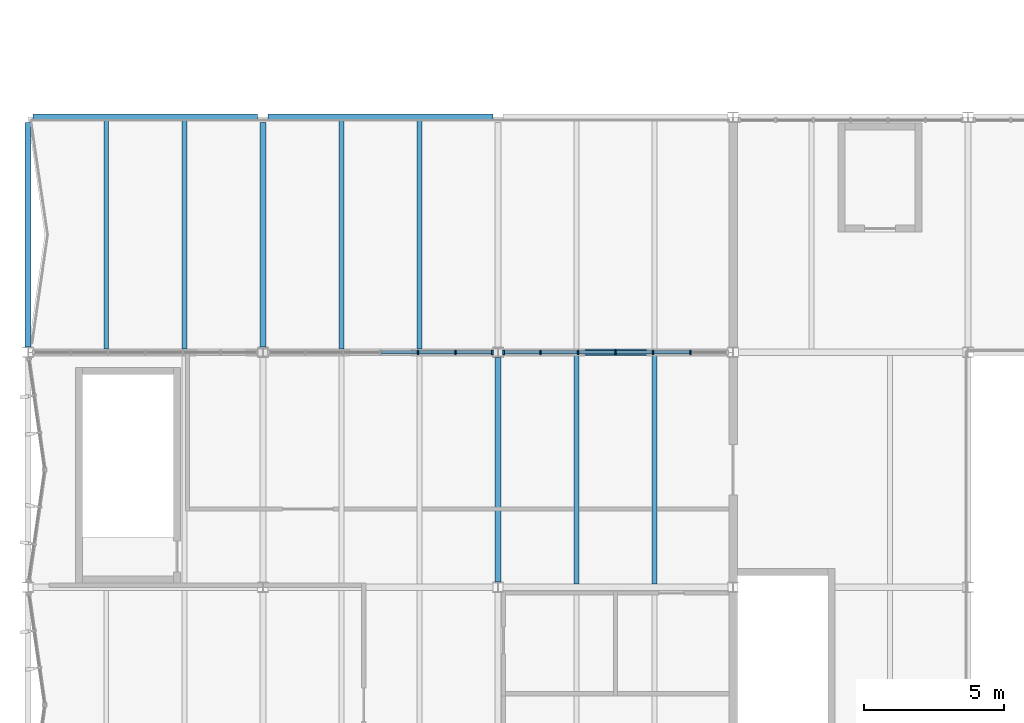
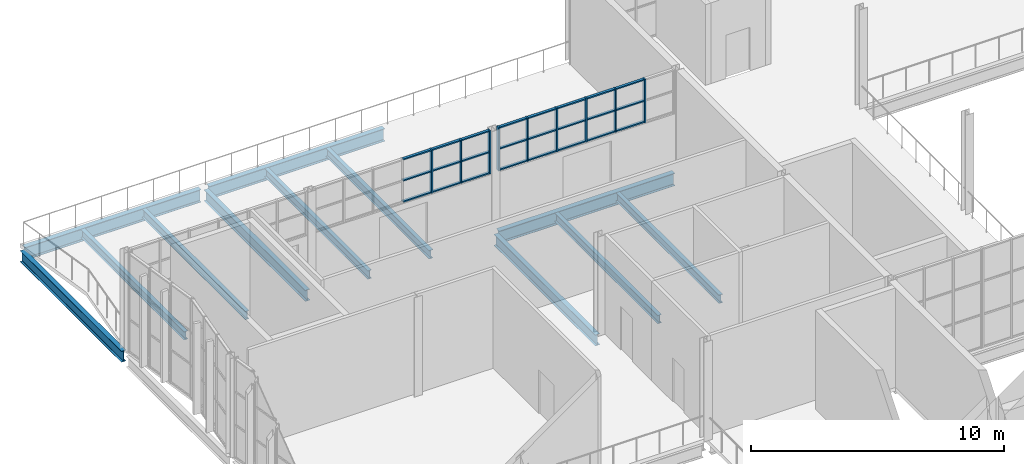
# One storey, part 39 of 116: 33 members, 12 beams, 2 elements without a shape of their own.
"""IFC4 building model written with IfcOpenShell, lengths in metres."""

from ifc_helpers import new_model, si_unit, direction, frame, origin, origin_2d, place, context, subcontext, project, spatial, rectangle, i_section, extrude, material, material_profile, profile_set, type_object, element, aggregate, save


model = new_model("IFC4")

# Units and contexts
model_context = context("Model", 3, precision=1e-05, world=origin(), true_north=direction((0.0, 1.0)))
body_context = subcontext(model_context, "Body", "Model", "MODEL_VIEW")
ifc_project = project(units=[si_unit("LENGTHUNIT", "METRE"), si_unit("AREAUNIT", "SQUARE_METRE"), si_unit("VOLUMEUNIT", "CUBIC_METRE"), si_unit("PLANEANGLEUNIT", "RADIAN"), si_unit("MASSUNIT", "GRAM", prefix="KILO")], contexts=[model_context])

# Site, building, storey
site_placement = place(None, origin())
site = spatial("IfcSite", under=ifc_project, at=site_placement, CompositionType="ELEMENT")
building_placement = place(site_placement, origin())
building = spatial("IfcBuilding", under=site, at=building_placement, Name="Ljudholm Concert House", CompositionType="ELEMENT")
storey_placement = place(building_placement, frame((0.0, 0.0, 10.199951171875)))
storey = spatial("IfcBuildingStorey", under=building, at=storey_placement, Name="L02", CompositionType="ELEMENT", Elevation=10.199951171875)

# Curtain wall, members
ifc_material_1 = material(Name="Aluminium curtain wall with impact-rated laminated glass", Category="aluminium")
curtain_wall_type = type_object("IfcCurtainWallType", Name="CURTAIN WALL 1400", PredefinedType="NOTDEFINED", material=ifc_material_1)
curtain_wall_1_placement = place(storey_placement, origin())
curtain_wall_1 = element("IfcCurtainWall", 1, at=curtain_wall_1_placement, inside=storey, type_object=curtain_wall_type, Name="Terrace curtain wall", PredefinedType="NOTDEFINED")
ifc_material_2 = material(Name="Aluminium extrusion", Category="aluminium")
ifc_material_profile_1 = material_profile(ifc_material_2, rectangle(XDim=0.159912109375, YDim=0.06005859375, at=origin_2d()), Name="MULLION 60x160")
ifc_profile_set_1 = profile_set([ifc_material_profile_1], Name="Aluminium extrusion")
member_type_1 = type_object("IfcMemberType", Name="MULLION 60x160", PredefinedType="MULLION", material=ifc_profile_set_1)
member_1_placement = place(storey_placement, frame((17.940673828125, 121.60009765625, 2.699951171875), z_axis=(0.0, 0.0, 1.0), x_axis=(0.0, 1.0, 0.0)))
member_1 = element("IfcMember", 2, at=member_1_placement, type_object=member_type_1, Name="Mullion", PredefinedType="MULLION", context=body_context, shape_type="SweptSolid", body=[
    extrude(rectangle(XDim=0.159912109375, YDim=0.06005859375, at=origin_2d()), origin(), (0.0, 0.0, 1.0), 2.10009765625),
])
member_2_placement = place(storey_placement, frame((19.281494140625, 121.60009765625, 2.699951171875), z_axis=(0.0, 0.0, 1.0), x_axis=(0.0, 1.0, 0.0)))
member_2 = element("IfcMember", 3, at=member_2_placement, type_object=member_type_1, Name="Mullion", PredefinedType="MULLION", context=body_context, shape_type="SweptSolid", body=[
    extrude(rectangle(XDim=0.159912109375, YDim=0.06005859375, at=origin_2d()), origin(), (0.0, 0.0, 1.0), 2.10009765625),
])
member_3_placement = place(storey_placement, frame((20.59228515625, 121.60009765625, 2.699951171875), z_axis=(0.0, 0.0, 1.0), x_axis=(0.0, 1.0, 0.0)))
member_3 = element("IfcMember", 4, at=member_3_placement, type_object=member_type_1, Name="Mullion", PredefinedType="MULLION", context=body_context, shape_type="SweptSolid", body=[
    extrude(rectangle(XDim=0.159912109375, YDim=0.06005859375, at=origin_2d()), origin(), (0.0, 0.0, 1.0), 2.10009765625),
])

curtain_wall_2_placement = place(storey_placement, origin())
curtain_wall_2 = element("IfcCurtainWall", 5, at=curtain_wall_2_placement, inside=storey, type_object=curtain_wall_type, Name="Terrace curtain wall", PredefinedType="NOTDEFINED")
member_4_placement = place(storey_placement, frame((21.0078125, 121.60009765625, 2.699951171875), z_axis=(0.0, 0.0, 1.0), x_axis=(0.0, 1.0, 0.0)))
member_4 = element("IfcMember", 6, at=member_4_placement, type_object=member_type_1, Name="Mullion", PredefinedType="MULLION", context=body_context, shape_type="SweptSolid", body=[
    extrude(rectangle(XDim=0.159912109375, YDim=0.06005859375, at=origin_2d()), origin(), (0.0, 0.0, 1.0), 2.10009765625),
])
member_5_placement = place(storey_placement, frame((22.318603515625, 121.60009765625, 2.699951171875), z_axis=(0.0, 0.0, 1.0), x_axis=(0.0, 1.0, 0.0)))
member_5 = element("IfcMember", 7, at=member_5_placement, type_object=member_type_1, Name="Mullion", PredefinedType="MULLION", context=body_context, shape_type="SweptSolid", body=[
    extrude(rectangle(XDim=0.159912109375, YDim=0.06005859375, at=origin_2d()), origin(), (0.0, 0.0, 1.0), 2.10009765625),
])
member_6_placement = place(storey_placement, frame((23.6591796875, 121.60009765625, 2.699951171875), z_axis=(0.0, 0.0, 1.0), x_axis=(0.0, 1.0, 0.0)))
member_6 = element("IfcMember", 8, at=member_6_placement, type_object=member_type_1, Name="Mullion", PredefinedType="MULLION", context=body_context, shape_type="SweptSolid", body=[
    extrude(rectangle(XDim=0.159912109375, YDim=0.06005859375, at=origin_2d()), origin(), (0.0, 0.0, 1.0), 2.10009765625),
])
member_7_placement = place(storey_placement, frame((25.0, 121.60009765625, 2.699951171875), z_axis=(0.0, 0.0, 1.0), x_axis=(0.0, 1.0, 0.0)))
member_7 = element("IfcMember", 9, at=member_7_placement, type_object=member_type_1, Name="Mullion", PredefinedType="MULLION", context=body_context, shape_type="SweptSolid", body=[
    extrude(rectangle(XDim=0.159912109375, YDim=0.06005859375, at=origin_2d()), origin(), (0.0, 0.0, 1.0), 2.10009765625),
])
member_8_placement = place(storey_placement, frame((26.3408203125, 121.60009765625, 2.699951171875), z_axis=(0.0, 0.0, 1.0), x_axis=(0.0, 1.0, 0.0)))
member_8 = element("IfcMember", 10, at=member_8_placement, type_object=member_type_1, Name="Mullion", PredefinedType="MULLION", context=body_context, shape_type="SweptSolid", body=[
    extrude(rectangle(XDim=0.159912109375, YDim=0.06005859375, at=origin_2d()), origin(), (0.0, 0.0, 1.0), 2.10009765625),
])
member_9_placement = place(storey_placement, frame((27.681396484375, 121.60009765625, 2.699951171875), z_axis=(0.0, 0.0, 1.0), x_axis=(0.0, 1.0, 0.0)))
member_9 = element("IfcMember", 11, at=member_9_placement, type_object=member_type_1, Name="Mullion", PredefinedType="MULLION", context=body_context, shape_type="SweptSolid", body=[
    extrude(rectangle(XDim=0.159912109375, YDim=0.06005859375, at=origin_2d()), origin(), (0.0, 0.0, 1.0), 2.10009765625),
])

# Beams
ifc_material_3 = material(Name="Steel ASTM A992", Category="steel")
ifc_material_profile_2 = material_profile(ifc_material_3, i_section(OverallWidth=0.177734375, OverallDepth=0.406494140625, WebThickness=0.0078125, FlangeThickness=0.012939453125, FilletRadius=0.01025390625, at=origin_2d()), Name="W16X40")
ifc_profile_set_2 = profile_set([ifc_material_profile_2], Name="Steel ASTM A992")
beam_type_1 = type_object("IfcBeamType", Name="STEEL BEAM W16X40", PredefinedType="BEAM", material=ifc_profile_set_2)
for number, where, z_axis, x_axis, name in (
    (12, (6.800048828125, 121.714599609375, -0.383056640625), (0.0, 1.0, 0.0), (-1.0, 0.0, 0.0), "Secondary beam"),
    (13, (9.60009765625, 121.714599609375, -0.383056640625), (0.0, 1.0, 0.0), (-1.0, 0.0, 0.0), "Secondary beam"),
    (14, (15.199951171875, 121.714599609375, -0.383056640625), (0.0, 1.0, 0.0), (-1.0, 0.0, 0.0), "Secondary beam"),
    (15, (18.0, 121.714599609375, -0.383056640625), (0.0, 1.0, 0.0), (-1.0, 0.0, 0.0), "Secondary beam"),
    (16, (23.60009765625, 113.314453125, -0.383056640625), (0.0, 1.0, 0.0), (-1.0, 0.0, 0.0), "Secondary beam"),
    (17, (26.39990234375, 113.314453125, -0.383056640625), (0.0, 1.0, 0.0), (-1.0, 0.0, 0.0), "Secondary beam"),
):
    element("IfcBeam", number, at=place(storey_placement, frame(where, z_axis=z_axis, x_axis=x_axis)), inside=storey, type_object=beam_type_1, Name=name, PredefinedType="BEAM", context=body_context, shape_type="SweptSolid", body=[
        extrude(i_section(OverallWidth=0.177734375, OverallDepth=0.406494140625, WebThickness=0.0078125, FlangeThickness=0.012939453125, FilletRadius=0.01025390625, at=origin_2d()), origin(), (0.0, 0.0, 1.0), 8.1708984375),
    ])
ifc_material_4 = material(Name="Steel ASTM A992", Category="steel")
ifc_material_profile_3 = material_profile(ifc_material_4, i_section(OverallWidth=0.209228515625, OverallDepth=0.533447265625, WebThickness=0.01025390625, FlangeThickness=0.015625, FilletRadius=0.012939453125, at=origin_2d()), Name="W21X62")
ifc_profile_set_3 = profile_set([ifc_material_profile_3], Name="Steel ASTM A992")
beam_type_2 = type_object("IfcBeamType", Name="STEEL BEAM W21X62", PredefinedType="BEAM", material=ifc_profile_set_3)
for number, where, z_axis, x_axis, name in (
    (18, (4.0, 121.78662109375, -0.446533203125), (0.0, 1.0, 0.0), (-1.0, 0.0, 0.0), "Floor edge beam"),
    (19, (12.39990234375, 121.78662109375, -0.446533203125), (0.0, 1.0, 0.0), (-1.0, 0.0, 0.0), "Floor edge beam"),
    (20, (20.800048828125, 113.38671875, -0.446533203125), (0.0, 1.0, 0.0), (-1.0, 0.0, 0.0), "Floor edge beam"),
):
    element("IfcBeam", number, at=place(storey_placement, frame(where, z_axis=z_axis, x_axis=x_axis)), inside=storey, type_object=beam_type_2, Name=name, PredefinedType="BEAM", context=body_context, shape_type="SweptSolid", body=[
        extrude(i_section(OverallWidth=0.209228515625, OverallDepth=0.533447265625, WebThickness=0.01025390625, FlangeThickness=0.015625, FilletRadius=0.012939453125, at=origin_2d()), origin(), (0.0, 0.0, 1.0), 8.026611328125),
    ])
ifc_material_5 = material(Name="Steel ASTM A992", Category="steel")
ifc_material_profile_4 = material_profile(ifc_material_5, i_section(OverallWidth=0.22900390625, OverallDepth=0.612060546875, WebThickness=0.011962890625, FlangeThickness=0.01953125, FilletRadius=0.0126953125, at=origin_2d()), Name="W24X84")
ifc_profile_set_4 = profile_set([ifc_material_profile_4], Name="Steel ASTM A992")
beam_type_3 = type_object("IfcBeamType", Name="STEEL BEAM W24X84", PredefinedType="BEAM", material=ifc_profile_set_4)
beam_placement = place(storey_placement, frame((20.986572265625, 121.60009765625, -0.486083984375), z_axis=(1.0, 0.0, 0.0), x_axis=(0.0, 1.0, 0.0)))
element("IfcBeam", 21, at=beam_placement, inside=storey, type_object=beam_type_3, Name="Floor girder", PredefinedType="BEAM", context=body_context, shape_type="SweptSolid", body=[
    extrude(i_section(OverallWidth=0.22900390625, OverallDepth=0.612060546875, WebThickness=0.011962890625, FlangeThickness=0.01953125, FilletRadius=0.0126953125, at=origin_2d()), origin(), (0.0, 0.0, 1.0), 8.02685546875),
])
for number, where, z_axis, x_axis, name in (
    (22, (4.186767578125, 130.0, -0.486083984375), (1.0, 0.0, 0.0), (0.0, 1.0, 0.0), "Floor girder"),
    (23, (12.586669921875, 130.0, -0.486083984375), (1.0, 0.0, 0.0), (0.0, 1.0, 0.0), "Floor girder"),
):
    element("IfcBeam", number, at=place(storey_placement, frame(where, z_axis=z_axis, x_axis=x_axis)), inside=storey, type_object=beam_type_3, Name=name, PredefinedType="BEAM", context=body_context, shape_type="SweptSolid", body=[
        extrude(i_section(OverallWidth=0.22900390625, OverallDepth=0.612060546875, WebThickness=0.011962890625, FlangeThickness=0.01953125, FilletRadius=0.0126953125, at=origin_2d()), origin(), (0.0, 0.0, 1.0), 8.026611328125),
    ])

# Member
ifc_material_6 = material(Name="Aluminium extrusion", Category="aluminium")
ifc_material_profile_5 = material_profile(ifc_material_6, rectangle(XDim=0.1201171875, YDim=0.06005859375, at=origin_2d()), Name="TRANSOM 60x120")
ifc_profile_set_5 = profile_set([ifc_material_profile_5], Name="Aluminium extrusion")
member_type_2 = type_object("IfcMemberType", Name="TRANSOM 60x120", PredefinedType="USERDEFINED", material=ifc_profile_set_5)
member_10_placement = place(storey_placement, frame((16.6298828125, 121.60009765625, 2.72998046875), z_axis=(1.0, 0.0, 0.0), x_axis=(0.0, 1.0, 0.0)))
member_10 = element("IfcMember", 24, at=member_10_placement, type_object=member_type_2, Name="Transom", ObjectType="TRANSOM", PredefinedType="USERDEFINED", context=body_context, shape_type="SweptSolid", body=[
    extrude(rectangle(XDim=0.1201171875, YDim=0.06005859375, at=origin_2d()), origin(), (0.0, 0.0, 1.0), 1.28076171875),
])

member_11_placement = place(storey_placement, frame((16.6298828125, 121.60009765625, 3.75), z_axis=(1.0, 0.0, 0.0), x_axis=(0.0, 1.0, 0.0)))
member_11 = element("IfcMember", 25, at=member_11_placement, type_object=member_type_2, Name="Transom", ObjectType="TRANSOM", PredefinedType="USERDEFINED", context=body_context, shape_type="SweptSolid", body=[
    extrude(rectangle(XDim=0.1201171875, YDim=0.06005859375, at=origin_2d()), origin(), (0.0, 0.0, 1.0), 1.28076171875),
])

member_12_placement = place(storey_placement, frame((16.6298828125, 121.60009765625, 4.77001953125), z_axis=(1.0, 0.0, 0.0), x_axis=(0.0, 1.0, 0.0)))
member_12 = element("IfcMember", 26, at=member_12_placement, type_object=member_type_2, Name="Transom", ObjectType="TRANSOM", PredefinedType="USERDEFINED", context=body_context, shape_type="SweptSolid", body=[
    extrude(rectangle(XDim=0.1201171875, YDim=0.06005859375, at=origin_2d()), origin(), (0.0, 0.0, 1.0), 1.28076171875),
])

member_13_placement = place(storey_placement, frame((17.970703125, 121.60009765625, 2.72998046875), z_axis=(1.0, 0.0, 0.0), x_axis=(0.0, 1.0, 0.0)))
member_13 = element("IfcMember", 27, at=member_13_placement, type_object=member_type_2, Name="Transom", ObjectType="TRANSOM", PredefinedType="USERDEFINED", context=body_context, shape_type="SweptSolid", body=[
    extrude(rectangle(XDim=0.1201171875, YDim=0.06005859375, at=origin_2d()), origin(), (0.0, 0.0, 1.0), 1.28076171875),
])

member_14_placement = place(storey_placement, frame((17.970703125, 121.60009765625, 3.75), z_axis=(1.0, 0.0, 0.0), x_axis=(0.0, 1.0, 0.0)))
member_14 = element("IfcMember", 28, at=member_14_placement, type_object=member_type_2, Name="Transom", ObjectType="TRANSOM", PredefinedType="USERDEFINED", context=body_context, shape_type="SweptSolid", body=[
    extrude(rectangle(XDim=0.1201171875, YDim=0.06005859375, at=origin_2d()), origin(), (0.0, 0.0, 1.0), 1.28076171875),
])

member_15_placement = place(storey_placement, frame((17.970703125, 121.60009765625, 4.77001953125), z_axis=(1.0, 0.0, 0.0), x_axis=(0.0, 1.0, 0.0)))
member_15 = element("IfcMember", 29, at=member_15_placement, type_object=member_type_2, Name="Transom", ObjectType="TRANSOM", PredefinedType="USERDEFINED", context=body_context, shape_type="SweptSolid", body=[
    extrude(rectangle(XDim=0.1201171875, YDim=0.06005859375, at=origin_2d()), origin(), (0.0, 0.0, 1.0), 1.28076171875),
])

member_16_placement = place(storey_placement, frame((19.3115234375, 121.60009765625, 2.72998046875), z_axis=(1.0, 0.0, 0.0), x_axis=(0.0, 1.0, 0.0)))
member_16 = element("IfcMember", 30, at=member_16_placement, type_object=member_type_2, Name="Transom", ObjectType="TRANSOM", PredefinedType="USERDEFINED", context=body_context, shape_type="SweptSolid", body=[
    extrude(rectangle(XDim=0.1201171875, YDim=0.06005859375, at=origin_2d()), origin(), (0.0, 0.0, 1.0), 1.250732421875),
])

member_17_placement = place(storey_placement, frame((19.3115234375, 121.60009765625, 3.75), z_axis=(1.0, 0.0, 0.0), x_axis=(0.0, 1.0, 0.0)))
member_17 = element("IfcMember", 31, at=member_17_placement, type_object=member_type_2, Name="Transom", ObjectType="TRANSOM", PredefinedType="USERDEFINED", context=body_context, shape_type="SweptSolid", body=[
    extrude(rectangle(XDim=0.1201171875, YDim=0.06005859375, at=origin_2d()), origin(), (0.0, 0.0, 1.0), 1.250732421875),
])

member_18_placement = place(storey_placement, frame((19.3115234375, 121.60009765625, 4.77001953125), z_axis=(1.0, 0.0, 0.0), x_axis=(0.0, 1.0, 0.0)))
member_18 = element("IfcMember", 32, at=member_18_placement, type_object=member_type_2, Name="Transom", ObjectType="TRANSOM", PredefinedType="USERDEFINED", context=body_context, shape_type="SweptSolid", body=[
    extrude(rectangle(XDim=0.1201171875, YDim=0.06005859375, at=origin_2d()), origin(), (0.0, 0.0, 1.0), 1.250732421875),
])

aggregate(curtain_wall_1, [member_1, member_2, member_3, member_10, member_11, member_12, member_13, member_14, member_15, member_16, member_17, member_18])

member_19_placement = place(storey_placement, frame((21.037841796875, 121.60009765625, 2.72998046875), z_axis=(1.0, 0.0, 0.0), x_axis=(0.0, 1.0, 0.0)))
member_19 = element("IfcMember", 33, at=member_19_placement, type_object=member_type_2, Name="Transom", ObjectType="TRANSOM", PredefinedType="USERDEFINED", context=body_context, shape_type="SweptSolid", body=[
    extrude(rectangle(XDim=0.1201171875, YDim=0.06005859375, at=origin_2d()), origin(), (0.0, 0.0, 1.0), 1.250732421875),
])

member_20_placement = place(storey_placement, frame((21.037841796875, 121.60009765625, 3.75), z_axis=(1.0, 0.0, 0.0), x_axis=(0.0, 1.0, 0.0)))
member_20 = element("IfcMember", 34, at=member_20_placement, type_object=member_type_2, Name="Transom", ObjectType="TRANSOM", PredefinedType="USERDEFINED", context=body_context, shape_type="SweptSolid", body=[
    extrude(rectangle(XDim=0.1201171875, YDim=0.06005859375, at=origin_2d()), origin(), (0.0, 0.0, 1.0), 1.250732421875),
])

member_21_placement = place(storey_placement, frame((21.037841796875, 121.60009765625, 4.77001953125), z_axis=(1.0, 0.0, 0.0), x_axis=(0.0, 1.0, 0.0)))
member_21 = element("IfcMember", 35, at=member_21_placement, type_object=member_type_2, Name="Transom", ObjectType="TRANSOM", PredefinedType="USERDEFINED", context=body_context, shape_type="SweptSolid", body=[
    extrude(rectangle(XDim=0.1201171875, YDim=0.06005859375, at=origin_2d()), origin(), (0.0, 0.0, 1.0), 1.250732421875),
])

member_22_placement = place(storey_placement, frame((22.3486328125, 121.60009765625, 2.72998046875), z_axis=(1.0, 0.0, 0.0), x_axis=(0.0, 1.0, 0.0)))
member_22 = element("IfcMember", 36, at=member_22_placement, type_object=member_type_2, Name="Transom", ObjectType="TRANSOM", PredefinedType="USERDEFINED", context=body_context, shape_type="SweptSolid", body=[
    extrude(rectangle(XDim=0.1201171875, YDim=0.06005859375, at=origin_2d()), origin(), (0.0, 0.0, 1.0), 1.280517578125),
])

member_23_placement = place(storey_placement, frame((22.3486328125, 121.60009765625, 3.75), z_axis=(1.0, 0.0, 0.0), x_axis=(0.0, 1.0, 0.0)))
member_23 = element("IfcMember", 37, at=member_23_placement, type_object=member_type_2, Name="Transom", ObjectType="TRANSOM", PredefinedType="USERDEFINED", context=body_context, shape_type="SweptSolid", body=[
    extrude(rectangle(XDim=0.1201171875, YDim=0.06005859375, at=origin_2d()), origin(), (0.0, 0.0, 1.0), 1.280517578125),
])

member_24_placement = place(storey_placement, frame((22.3486328125, 121.60009765625, 4.77001953125), z_axis=(1.0, 0.0, 0.0), x_axis=(0.0, 1.0, 0.0)))
member_24 = element("IfcMember", 38, at=member_24_placement, type_object=member_type_2, Name="Transom", ObjectType="TRANSOM", PredefinedType="USERDEFINED", context=body_context, shape_type="SweptSolid", body=[
    extrude(rectangle(XDim=0.1201171875, YDim=0.06005859375, at=origin_2d()), origin(), (0.0, 0.0, 1.0), 1.280517578125),
])

member_25_placement = place(storey_placement, frame((23.689208984375, 121.60009765625, 2.72998046875), z_axis=(1.0, 0.0, 0.0), x_axis=(0.0, 1.0, 0.0)))
member_25 = element("IfcMember", 39, at=member_25_placement, type_object=member_type_2, Name="Transom", ObjectType="TRANSOM", PredefinedType="USERDEFINED", context=body_context, shape_type="SweptSolid", body=[
    extrude(rectangle(XDim=0.1201171875, YDim=0.06005859375, at=origin_2d()), origin(), (0.0, 0.0, 1.0), 1.28076171875),
])

member_26_placement = place(storey_placement, frame((23.689208984375, 121.60009765625, 3.75), z_axis=(1.0, 0.0, 0.0), x_axis=(0.0, 1.0, 0.0)))
member_26 = element("IfcMember", 40, at=member_26_placement, type_object=member_type_2, Name="Transom", ObjectType="TRANSOM", PredefinedType="USERDEFINED", context=body_context, shape_type="SweptSolid", body=[
    extrude(rectangle(XDim=0.1201171875, YDim=0.06005859375, at=origin_2d()), origin(), (0.0, 0.0, 1.0), 1.28076171875),
])

member_27_placement = place(storey_placement, frame((23.689208984375, 121.60009765625, 4.77001953125), z_axis=(1.0, 0.0, 0.0), x_axis=(0.0, 1.0, 0.0)))
member_27 = element("IfcMember", 41, at=member_27_placement, type_object=member_type_2, Name="Transom", ObjectType="TRANSOM", PredefinedType="USERDEFINED", context=body_context, shape_type="SweptSolid", body=[
    extrude(rectangle(XDim=0.1201171875, YDim=0.06005859375, at=origin_2d()), origin(), (0.0, 0.0, 1.0), 1.28076171875),
])

member_28_placement = place(storey_placement, frame((25.030029296875, 121.60009765625, 2.72998046875), z_axis=(1.0, 0.0, 0.0), x_axis=(0.0, 1.0, 0.0)))
member_28 = element("IfcMember", 42, at=member_28_placement, type_object=member_type_2, Name="Transom", ObjectType="TRANSOM", PredefinedType="USERDEFINED", context=body_context, shape_type="SweptSolid", body=[
    extrude(rectangle(XDim=0.1201171875, YDim=0.06005859375, at=origin_2d()), origin(), (0.0, 0.0, 1.0), 1.28076171875),
])

member_29_placement = place(storey_placement, frame((25.030029296875, 121.60009765625, 3.75), z_axis=(1.0, 0.0, 0.0), x_axis=(0.0, 1.0, 0.0)))
member_29 = element("IfcMember", 43, at=member_29_placement, type_object=member_type_2, Name="Transom", ObjectType="TRANSOM", PredefinedType="USERDEFINED", context=body_context, shape_type="SweptSolid", body=[
    extrude(rectangle(XDim=0.1201171875, YDim=0.06005859375, at=origin_2d()), origin(), (0.0, 0.0, 1.0), 1.28076171875),
])

member_30_placement = place(storey_placement, frame((25.030029296875, 121.60009765625, 4.77001953125), z_axis=(1.0, 0.0, 0.0), x_axis=(0.0, 1.0, 0.0)))
member_30 = element("IfcMember", 44, at=member_30_placement, type_object=member_type_2, Name="Transom", ObjectType="TRANSOM", PredefinedType="USERDEFINED", context=body_context, shape_type="SweptSolid", body=[
    extrude(rectangle(XDim=0.1201171875, YDim=0.06005859375, at=origin_2d()), origin(), (0.0, 0.0, 1.0), 1.28076171875),
])

member_31_placement = place(storey_placement, frame((26.370849609375, 121.60009765625, 2.72998046875), z_axis=(1.0, 0.0, 0.0), x_axis=(0.0, 1.0, 0.0)))
member_31 = element("IfcMember", 45, at=member_31_placement, type_object=member_type_2, Name="Transom", ObjectType="TRANSOM", PredefinedType="USERDEFINED", context=body_context, shape_type="SweptSolid", body=[
    extrude(rectangle(XDim=0.1201171875, YDim=0.06005859375, at=origin_2d()), origin(), (0.0, 0.0, 1.0), 1.280517578125),
])

member_32_placement = place(storey_placement, frame((26.370849609375, 121.60009765625, 3.75), z_axis=(1.0, 0.0, 0.0), x_axis=(0.0, 1.0, 0.0)))
member_32 = element("IfcMember", 46, at=member_32_placement, type_object=member_type_2, Name="Transom", ObjectType="TRANSOM", PredefinedType="USERDEFINED", context=body_context, shape_type="SweptSolid", body=[
    extrude(rectangle(XDim=0.1201171875, YDim=0.06005859375, at=origin_2d()), origin(), (0.0, 0.0, 1.0), 1.280517578125),
])

member_33_placement = place(storey_placement, frame((26.370849609375, 121.60009765625, 4.77001953125), z_axis=(1.0, 0.0, 0.0), x_axis=(0.0, 1.0, 0.0)))
member_33 = element("IfcMember", 47, at=member_33_placement, type_object=member_type_2, Name="Transom", ObjectType="TRANSOM", PredefinedType="USERDEFINED", context=body_context, shape_type="SweptSolid", body=[
    extrude(rectangle(XDim=0.1201171875, YDim=0.06005859375, at=origin_2d()), origin(), (0.0, 0.0, 1.0), 1.280517578125),
])

aggregate(curtain_wall_2, [member_4, member_5, member_6, member_7, member_8, member_9, member_19, member_20, member_21, member_22, member_23, member_24, member_25, member_26, member_27, member_28, member_29, member_30, member_31, member_32, member_33])

save(model, "model.ifc")
